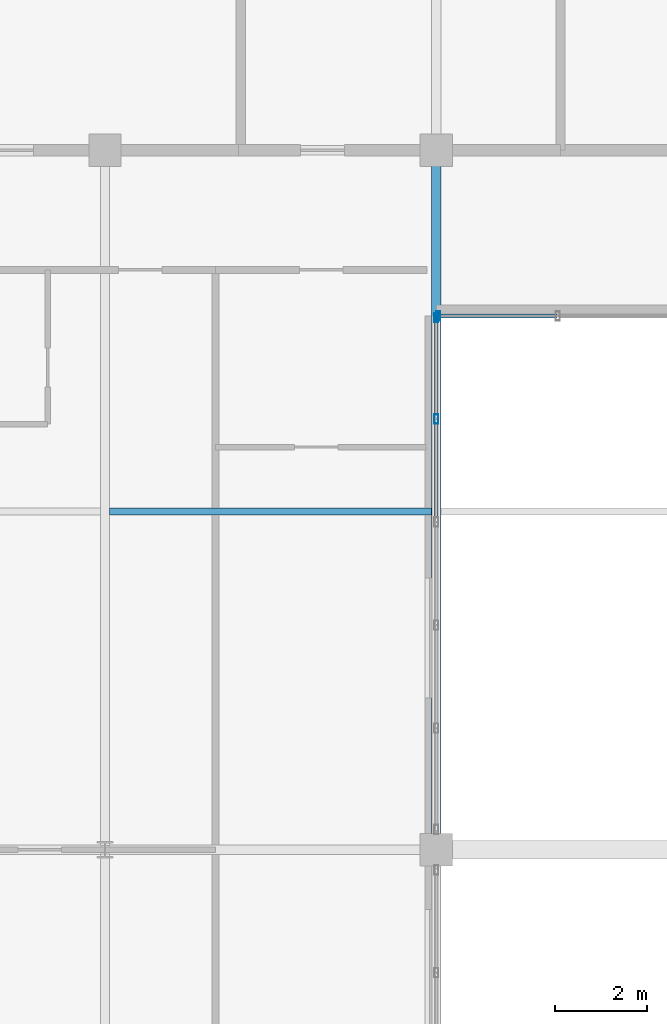
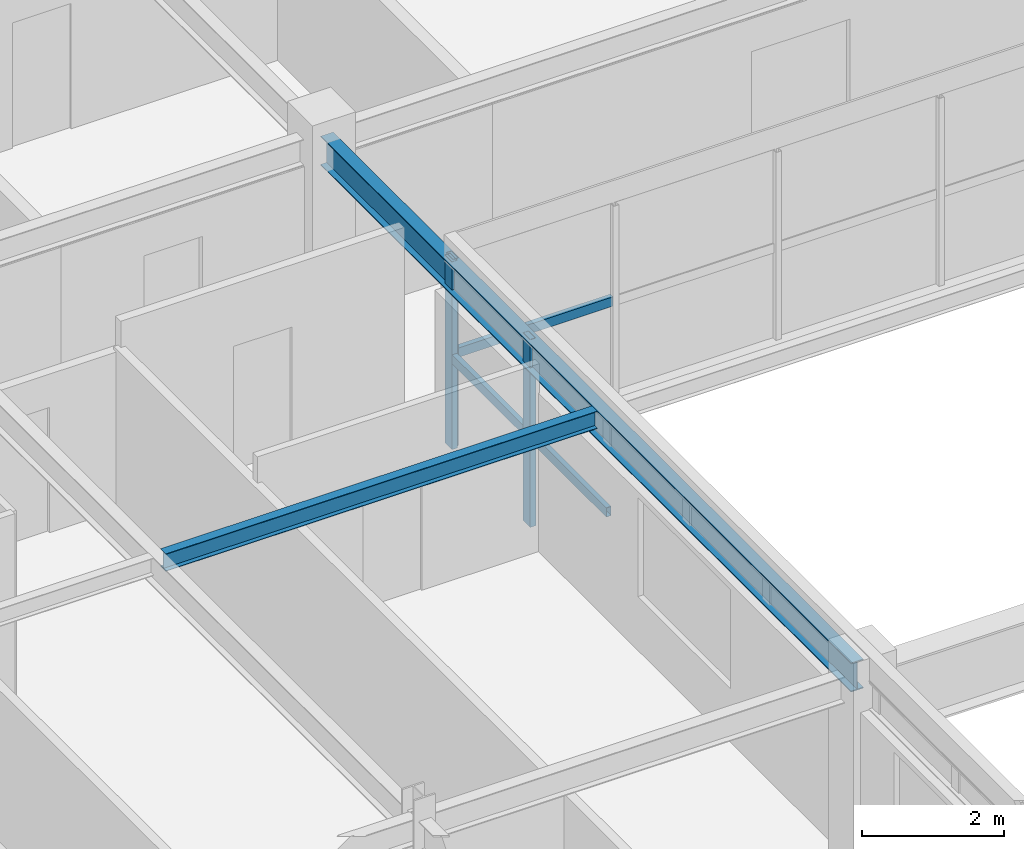
# One storey, part 10 of 37: 6 members, 2 beams, 2 elements without a shape of their own.
"""IFC4 building model written with IfcOpenShell, lengths in metres."""

from ifc_helpers import new_model, si_unit, direction, frame, origin, origin_2d, place, context, subcontext, project, spatial, hollow_rectangle, i_section, extrude, source, transform, mapped, material, material_profile, profile_set, type_object, element, aggregate, save


model = new_model("IFC4")

# Units and contexts
model_context = context("Model", 3, precision=1e-05, world=origin(), true_north=direction((0.0, 1.0)))
body_context = subcontext(model_context, "Body", "Model", "MODEL_VIEW")
ifc_project = project(units=[si_unit("LENGTHUNIT", "METRE"), si_unit("AREAUNIT", "SQUARE_METRE"), si_unit("VOLUMEUNIT", "CUBIC_METRE"), si_unit("PLANEANGLEUNIT", "RADIAN"), si_unit("MASSUNIT", "GRAM", prefix="KILO")], contexts=[model_context])

# Site, building, storey
site_placement = place(None, origin())
site = spatial("IfcSite", under=ifc_project, at=site_placement, CompositionType="ELEMENT")
building_placement = place(site_placement, origin())
building = spatial("IfcBuilding", under=site, at=building_placement, Name="Trelvane Seafront Commons", CompositionType="ELEMENT")
storey_placement = place(building_placement, frame((0.0, 0.0, 201.300048828125)))
storey = spatial("IfcBuildingStorey", under=building, at=storey_placement, Name="L52", CompositionType="ELEMENT", Elevation=201.300048828125)

# Beams
ifc_material_1 = material(Name="Steel SM355 (S355)", Category="steel")
ifc_material_profile_1 = material_profile(ifc_material_1, i_section(OverallWidth=0.199951171875, OverallDepth=0.5, WebThickness=0.010009765625, FlangeThickness=0.01611328125, at=origin_2d()), Name="H-500x200x10x16")
ifc_profile_set_1 = profile_set([ifc_material_profile_1], Name="Steel SM355 (S355)")
beam_type_1 = type_object("IfcBeamType", Name="STR-BM-H500", PredefinedType="BEAM", material=ifc_profile_set_1)
shared_shape_1 = source(origin(), body_context, "Body", "SweptSolid", [
    extrude(i_section(OverallWidth=0.199951171875, OverallDepth=0.5, WebThickness=0.010009765625, FlangeThickness=0.01611328125, at=origin_2d()), origin(), (0.0, 0.0, 1.0), 14.89990234375),
])
beam_1_placement = place(storey_placement, frame((30.60009765625, 18.35009765625, 2.969970703125), z_axis=(0.0, 1.0, 0.0), x_axis=(-1.0, 0.0, 0.0)))
element("IfcBeam", 1, at=beam_1_placement, inside=storey, type_object=beam_type_1, Name="L52 Primary Girder G-39", PredefinedType="BEAM", context=body_context, shape_type="MappedRepresentation", body=[
    mapped(shared_shape_1, transform((0.0, 0.0, 0.0), x_axis=(1.0, 0.0, 0.0), y_axis=(0.0, 1.0, 0.0), z_axis=(0.0, 0.0, 1.0), scale=1.0)),
])
ifc_material_profile_2 = material_profile(ifc_material_1, i_section(OverallWidth=0.14990234375, OverallDepth=0.300048828125, WebThickness=0.006591796875, FlangeThickness=0.009033203125, at=origin_2d()), Name="H-300x150x6.5x9")
ifc_profile_set_2 = profile_set([ifc_material_profile_2], Name="Steel SM355 (S355)")
beam_type_2 = type_object("IfcBeamType", Name="STR-JST-H300", PredefinedType="JOIST", material=ifc_profile_set_2)
shared_shape_2 = source(origin(), body_context, "Body", "SweptSolid", [
    extrude(i_section(OverallWidth=0.14990234375, OverallDepth=0.300048828125, WebThickness=0.006591796875, FlangeThickness=0.009033203125, at=origin_2d()), origin(), (0.0, 0.0, 1.0), 7.0),
])
beam_2_placement = place(storey_placement, frame((23.5, 25.550048828125, 3.070068359375), z_axis=(1.0, 0.0, 0.0), x_axis=(0.0, 1.0, 0.0)))
element("IfcBeam", 2, at=beam_2_placement, inside=storey, type_object=beam_type_2, Name="L52 Secondary Floor Joist B-62", PredefinedType="JOIST", context=body_context, shape_type="MappedRepresentation", body=[
    mapped(shared_shape_2, transform((0.0, 0.0, 0.0), x_axis=(1.0, 0.0, 0.0), y_axis=(0.0, 1.0, 0.0), z_axis=(0.0, 0.0, 1.0), scale=1.0)),
])

# Curtain wall, members
ifc_material_2 = material(Name="Anodised pale-silver aluminium", Category="aluminium")
curtain_wall_type = type_object("IfcCurtainWallType", Name="ARCH-CW3-PORTAL", PredefinedType="NOTDEFINED", material=ifc_material_2)
curtain_wall_1_placement = place(storey_placement, origin())
curtain_wall_1 = element("IfcCurtainWall", 3, at=curtain_wall_1_placement, inside=storey, type_object=curtain_wall_type, Name="CW-L52-VP-0092", PredefinedType="NOTDEFINED")
ifc_material_profile_3 = material_profile(ifc_material_2, hollow_rectangle(XDim=0.090087890625, YDim=0.199951171875, WallThickness=0.0048828125, at=origin_2d()), Name="MULL-90x200x5")
ifc_profile_set_3 = profile_set([ifc_material_profile_3], Name="Anodised pale-silver aluminium")
member_type_1 = type_object("IfcMemberType", Name="ARCH-CW-MULL-200", PredefinedType="MULLION", material=ifc_profile_set_3)
shared_shape_3 = source(origin(), body_context, "Body", "SweptSolid", [
    extrude(hollow_rectangle(XDim=0.090087890625, YDim=0.199951171875, WallThickness=0.0048828125, at=origin_2d()), origin(), (0.0, 0.0, 1.0), 3.219970703125),
])
member_1_placement = place(storey_placement, frame((30.60009765625, 27.56005859375, 0.0), z_axis=(0.0, 0.0, 1.0), x_axis=(1.0, 0.0, 0.0)))
member_1 = element("IfcMember", 4, at=member_1_placement, type_object=member_type_1, Name="CW-L52-VP-0092-M04", PredefinedType="MULLION", context=body_context, shape_type="MappedRepresentation", body=[
    mapped(shared_shape_3, transform((0.0, 0.0, 0.0), x_axis=(1.0, 0.0, 0.0), y_axis=(0.0, 1.0, 0.0), z_axis=(0.0, 0.0, 1.0), scale=1.0)),
])
member_2_placement = place(storey_placement, frame((30.60009765625, 29.760009765625, 0.0), z_axis=(0.0, 0.0, 1.0), x_axis=(1.0, 0.0, 0.0)))
member_2 = element("IfcMember", 5, at=member_2_placement, type_object=member_type_1, Name="CW-L52-VP-0092-M05", PredefinedType="MULLION", context=body_context, shape_type="MappedRepresentation", body=[
    mapped(shared_shape_3, transform((0.0, 0.0, 0.0), x_axis=(1.0, 0.0, 0.0), y_axis=(0.0, 1.0, 0.0), z_axis=(0.0, 0.0, 1.0), scale=1.0)),
])

# Curtain wall, member
curtain_wall_2_placement = place(storey_placement, origin())
curtain_wall_2 = element("IfcCurtainWall", 6, at=curtain_wall_2_placement, inside=storey, type_object=curtain_wall_type, Name="CW-L52-VP-0093", PredefinedType="NOTDEFINED")
member_3_placement = place(storey_placement, frame((30.639892578125, 29.800048828125, 0.0), z_axis=(0.0, 0.0, 1.0), x_axis=(1.0, 0.0, 0.0)))
member_3 = element("IfcMember", 7, at=member_3_placement, type_object=member_type_1, Name="CW-L52-VP-0093-M00", PredefinedType="MULLION", context=body_context, shape_type="MappedRepresentation", body=[
    mapped(shared_shape_3, transform((0.0, 0.0, 0.0), x_axis=(1.0, 0.0, 0.0), y_axis=(0.0, 1.0, 0.0), z_axis=(0.0, 0.0, 1.0), scale=1.0)),
])

# Member
ifc_material_profile_4 = material_profile(ifc_material_2, hollow_rectangle(XDim=0.080078125, YDim=0.159912109375, WallThickness=0.00439453125, at=origin_2d()), Name="TRAN-80x160x4.5")
ifc_profile_set_4 = profile_set([ifc_material_profile_4], Name="Anodised pale-silver aluminium")
member_type_2 = type_object("IfcMemberType", Name="ARCH-CW-TRAN-160", PredefinedType="USERDEFINED", material=ifc_profile_set_4)
shared_shape_4 = source(origin(), body_context, "Body", "SweptSolid", [
    extrude(hollow_rectangle(XDim=0.080078125, YDim=0.159912109375, WallThickness=0.00439453125, at=origin_2d()), origin(), (0.0, 0.0, 1.0), 2.216064453125),
])
member_4_placement = place(storey_placement, frame((30.60009765625, 25.33203125, 1.5458984375), z_axis=(0.0, 1.0, 0.0), x_axis=(-1.0, 0.0, 0.0)))
member_4 = element("IfcMember", 8, at=member_4_placement, type_object=member_type_2, Name="CW-L52-VP-0092-T03", ObjectType="TRANSOM", PredefinedType="USERDEFINED", context=body_context, shape_type="MappedRepresentation", body=[
    mapped(shared_shape_4, transform((0.0, 0.0, 0.0), x_axis=(1.0, 0.0, 0.0), y_axis=(0.0, 1.0, 0.0), z_axis=(0.0, 0.0, 1.0), scale=1.0)),
])

member_5_placement = place(storey_placement, frame((30.60009765625, 27.572021484375, 1.5458984375), z_axis=(0.0, 1.0, 0.0), x_axis=(-1.0, 0.0, 0.0)))
member_5 = element("IfcMember", 9, at=member_5_placement, type_object=member_type_2, Name="CW-L52-VP-0092-T04", ObjectType="TRANSOM", PredefinedType="USERDEFINED", context=body_context, shape_type="MappedRepresentation", body=[
    mapped(shared_shape_4, transform((0.0, 0.0, 0.0), x_axis=(1.0, 0.0, 0.0), y_axis=(0.0, 1.0, 0.0), z_axis=(0.0, 0.0, 1.0), scale=1.0)),
])

aggregate(curtain_wall_1, [member_1, member_2, member_4, member_5])

shared_shape_5 = source(origin(), body_context, "Body", "SweptSolid", [
    extrude(hollow_rectangle(XDim=0.080078125, YDim=0.159912109375, WallThickness=0.00439453125, at=origin_2d()), origin(), (0.0, 0.0, 1.0), 2.615966796875),
])
member_6_placement = place(storey_placement, frame((30.612060546875, 29.800048828125, 1.5458984375), z_axis=(1.0, 0.0, 0.0), x_axis=(0.0, 1.0, 0.0)))
member_6 = element("IfcMember", 10, at=member_6_placement, type_object=member_type_2, Name="CW-L52-VP-0093-T00", ObjectType="TRANSOM", PredefinedType="USERDEFINED", context=body_context, shape_type="MappedRepresentation", body=[
    mapped(shared_shape_5, transform((0.0, 0.0, 0.0), x_axis=(1.0, 0.0, 0.0), y_axis=(0.0, 1.0, 0.0), z_axis=(0.0, 0.0, 1.0), scale=1.0)),
])

aggregate(curtain_wall_2, [member_3, member_6])

save(model, "model.ifc")
